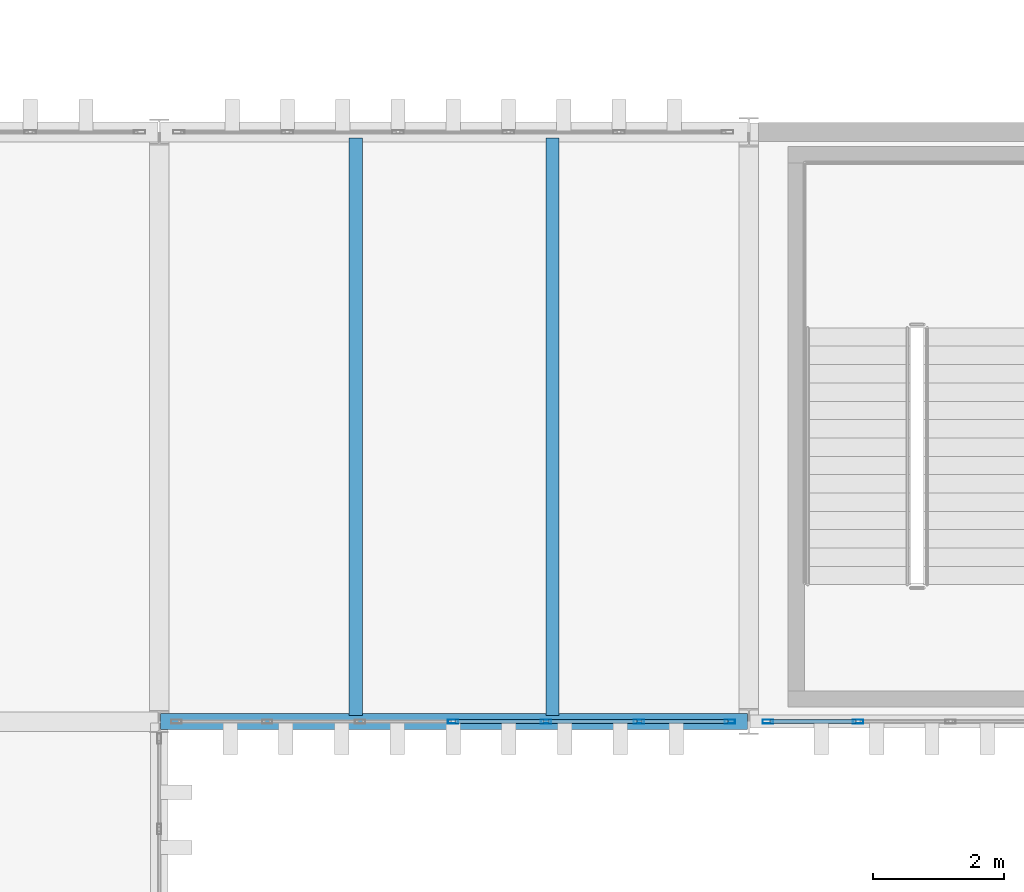
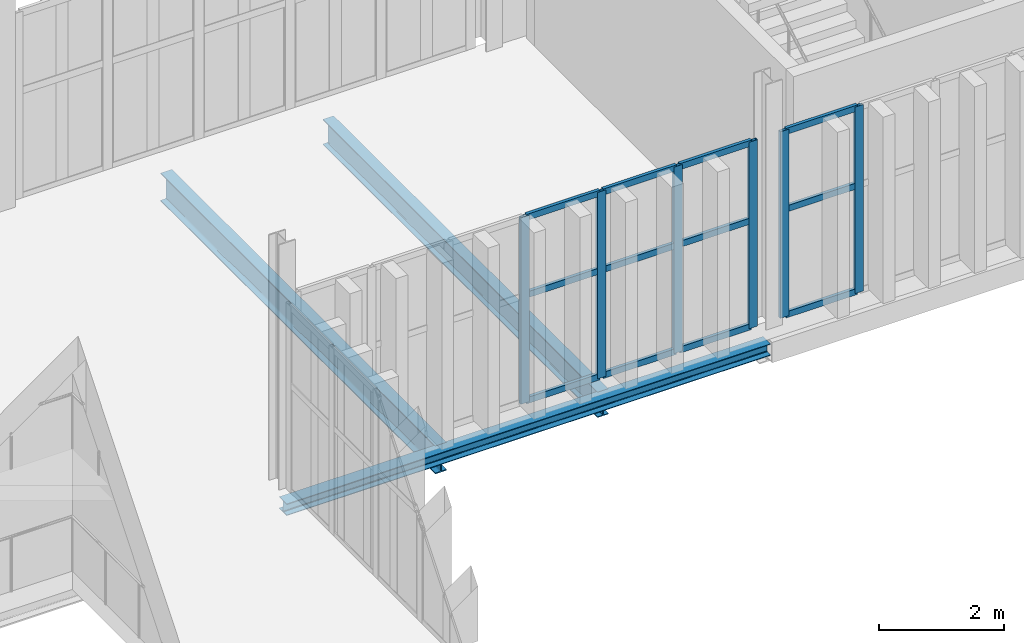
# One storey, part 135 of 196: 18 members, 3 beams, 2 elements without a shape of their own.
"""IFC4 building model written with IfcOpenShell, lengths in metres."""

from ifc_helpers import new_model, si_unit, direction, frame, origin, origin_2d, place, context, subcontext, project, spatial, hollow_rectangle, i_section, extrude, material, layer, layer_set, material_profile, profile_set, type_object, element, aggregate, save


model = new_model("IFC4")

# Units and contexts
model_context = context("Model", 3, precision=1e-05, world=origin(), true_north=direction((0.0, 1.0)))
body_context = subcontext(model_context, "Body", "Model", "MODEL_VIEW")
ifc_project = project(units=[si_unit("LENGTHUNIT", "METRE"), si_unit("AREAUNIT", "SQUARE_METRE"), si_unit("VOLUMEUNIT", "CUBIC_METRE"), si_unit("PLANEANGLEUNIT", "RADIAN"), si_unit("MASSUNIT", "GRAM", prefix="KILO")], contexts=[model_context])

# Site, building, storey
site_placement = place(None, origin())
site = spatial("IfcSite", under=ifc_project, at=site_placement, CompositionType="ELEMENT")
building_placement = place(site_placement, origin())
building = spatial("IfcBuilding", under=site, at=building_placement, Name="Barlavento Convention Centre", CompositionType="ELEMENT")
storey_placement = place(building_placement, frame((0.0, 0.0, 18.0)))
storey = spatial("IfcBuildingStorey", under=building, at=storey_placement, Name="L03", CompositionType="ELEMENT", Elevation=18.0)

# Curtain wall, members
ifc_material_1 = material(Name="Powder-coated aluminium and Low-E glass", Category="aluminium")
ifc_layer = layer(ifc_material_1, 0.179931640625)
ifc_layer_set = layer_set([ifc_layer], Name="ARC-CW-PATIO-B")
curtain_wall_type = type_object("IfcCurtainWallType", Name="ARC-CW-PATIO-B", PredefinedType="NOTDEFINED", material=ifc_layer_set)
curtain_wall_1_placement = place(storey_placement, origin())
curtain_wall_1 = element("IfcCurtainWall", 1, at=curtain_wall_1_placement, inside=storey, type_object=curtain_wall_type, Name="L03 unitised curtain wall CW12", PredefinedType="NOTDEFINED")
ifc_material_2 = material(Name="Powder-coated aluminium", Category="aluminium")
ifc_material_profile_1 = material_profile(ifc_material_2, hollow_rectangle(XDim=0.06005859375, YDim=0.159912109375, WallThickness=0.00390625, at=origin_2d()), Name="AL-MULL 60x160x4")
ifc_profile_set_1 = profile_set([ifc_material_profile_1], Name="Powder-coated aluminium")
member_type_1 = type_object("IfcMemberType", Name="ARC-CWM-60X160", PredefinedType="MULLION", material=ifc_profile_set_1)
member_1_placement = place(storey_placement, frame((139.485107421875, 90.0, 0.0), z_axis=(0.0, 0.0, 1.0), x_axis=(0.0, 1.0, 0.0)))
member_1 = element("IfcMember", 2, at=member_1_placement, type_object=member_type_1, Name="CW12 mullion 4", PredefinedType="MULLION", context=body_context, shape_type="SweptSolid", body=[
    extrude(hollow_rectangle(XDim=0.06005859375, YDim=0.159912109375, WallThickness=0.00390625, at=origin_2d()), origin(), (0.0, 0.0, 1.0), 3.64990234375),
])
member_2_placement = place(storey_placement, frame((140.9033203125, 90.0, 0.0), z_axis=(0.0, 0.0, 1.0), x_axis=(0.0, 1.0, 0.0)))
member_2 = element("IfcMember", 3, at=member_2_placement, type_object=member_type_1, Name="CW12 mullion 5", PredefinedType="MULLION", context=body_context, shape_type="SweptSolid", body=[
    extrude(hollow_rectangle(XDim=0.06005859375, YDim=0.159912109375, WallThickness=0.00390625, at=origin_2d()), origin(), (0.0, 0.0, 1.0), 3.64990234375),
])
member_3_placement = place(storey_placement, frame((142.32177734375, 90.0, 0.0), z_axis=(0.0, 0.0, 1.0), x_axis=(0.0, 1.0, 0.0)))
member_3 = element("IfcMember", 4, at=member_3_placement, type_object=member_type_1, Name="CW12 mullion 6", PredefinedType="MULLION", context=body_context, shape_type="SweptSolid", body=[
    extrude(hollow_rectangle(XDim=0.06005859375, YDim=0.159912109375, WallThickness=0.00390625, at=origin_2d()), origin(), (0.0, 0.0, 1.0), 3.64990234375),
])
member_4_placement = place(storey_placement, frame((143.7099609375, 90.0, 0.0), z_axis=(0.0, 0.0, 1.0), x_axis=(0.0, 1.0, 0.0)))
member_4 = element("IfcMember", 5, at=member_4_placement, type_object=member_type_1, Name="CW12 mullion 7", PredefinedType="MULLION", context=body_context, shape_type="SweptSolid", body=[
    extrude(hollow_rectangle(XDim=0.06005859375, YDim=0.159912109375, WallThickness=0.00390625, at=origin_2d()), origin(), (0.0, 0.0, 1.0), 3.64990234375),
])

curtain_wall_2_placement = place(storey_placement, origin())
curtain_wall_2 = element("IfcCurtainWall", 6, at=curtain_wall_2_placement, inside=storey, type_object=curtain_wall_type, Name="L03 unitised curtain wall CW12", PredefinedType="NOTDEFINED")
member_5_placement = place(storey_placement, frame((144.2900390625, 90.0, 0.0), z_axis=(0.0, 0.0, 1.0), x_axis=(0.0, 1.0, 0.0)))
member_5 = element("IfcMember", 7, at=member_5_placement, type_object=member_type_1, Name="CW12 mullion 1", PredefinedType="MULLION", context=body_context, shape_type="SweptSolid", body=[
    extrude(hollow_rectangle(XDim=0.06005859375, YDim=0.159912109375, WallThickness=0.00390625, at=origin_2d()), origin(), (0.0, 0.0, 1.0), 3.64990234375),
])
member_6_placement = place(storey_placement, frame((145.669189453125, 90.0, 0.0), z_axis=(0.0, 0.0, 1.0), x_axis=(0.0, 1.0, 0.0)))
member_6 = element("IfcMember", 8, at=member_6_placement, type_object=member_type_1, Name="CW12 mullion 2", PredefinedType="MULLION", context=body_context, shape_type="SweptSolid", body=[
    extrude(hollow_rectangle(XDim=0.06005859375, YDim=0.159912109375, WallThickness=0.00390625, at=origin_2d()), origin(), (0.0, 0.0, 1.0), 3.64990234375),
])

# Member
ifc_material_profile_2 = material_profile(ifc_material_2, hollow_rectangle(XDim=0.06005859375, YDim=0.1201171875, WallThickness=0.00390625, at=origin_2d()), Name="AL-TRAN 60x120x4")
ifc_profile_set_2 = profile_set([ifc_material_profile_2], Name="Powder-coated aluminium")
member_type_2 = type_object("IfcMemberType", Name="ARC-CWT-60X120", PredefinedType="USERDEFINED", material=ifc_profile_set_2)
member_7_placement = place(storey_placement, frame((139.514892578125, 90.0, 0.030029296875), z_axis=(1.0, 0.0, 0.0), x_axis=(0.0, 1.0, 0.0)))
member_7 = element("IfcMember", 9, at=member_7_placement, type_object=member_type_2, Name="CW12 transom 4.1", ObjectType="TRANSOM", PredefinedType="USERDEFINED", context=body_context, shape_type="SweptSolid", body=[
    extrude(hollow_rectangle(XDim=0.06005859375, YDim=0.1201171875, WallThickness=0.00390625, at=origin_2d()), origin(), (0.0, 0.0, 1.0), 1.3583984375),
])

member_8_placement = place(storey_placement, frame((139.514892578125, 90.0, 2.10009765625), z_axis=(1.0, 0.0, 0.0), x_axis=(0.0, 1.0, 0.0)))
member_8 = element("IfcMember", 10, at=member_8_placement, type_object=member_type_2, Name="CW12 transom 4.2", ObjectType="TRANSOM", PredefinedType="USERDEFINED", context=body_context, shape_type="SweptSolid", body=[
    extrude(hollow_rectangle(XDim=0.06005859375, YDim=0.1201171875, WallThickness=0.00390625, at=origin_2d()), origin(), (0.0, 0.0, 1.0), 1.3583984375),
])

member_9_placement = place(storey_placement, frame((139.514892578125, 90.0, 3.6201171875), z_axis=(1.0, 0.0, 0.0), x_axis=(0.0, 1.0, 0.0)))
member_9 = element("IfcMember", 11, at=member_9_placement, type_object=member_type_2, Name="CW12 transom 4.3", ObjectType="TRANSOM", PredefinedType="USERDEFINED", context=body_context, shape_type="SweptSolid", body=[
    extrude(hollow_rectangle(XDim=0.06005859375, YDim=0.1201171875, WallThickness=0.00390625, at=origin_2d()), origin(), (0.0, 0.0, 1.0), 1.3583984375),
])

member_10_placement = place(storey_placement, frame((140.933349609375, 90.0, 0.030029296875), z_axis=(1.0, 0.0, 0.0), x_axis=(0.0, 1.0, 0.0)))
member_10 = element("IfcMember", 12, at=member_10_placement, type_object=member_type_2, Name="CW12 transom 5.1", ObjectType="TRANSOM", PredefinedType="USERDEFINED", context=body_context, shape_type="SweptSolid", body=[
    extrude(hollow_rectangle(XDim=0.06005859375, YDim=0.1201171875, WallThickness=0.00390625, at=origin_2d()), origin(), (0.0, 0.0, 1.0), 1.3583984375),
])

member_11_placement = place(storey_placement, frame((140.933349609375, 90.0, 2.10009765625), z_axis=(1.0, 0.0, 0.0), x_axis=(0.0, 1.0, 0.0)))
member_11 = element("IfcMember", 13, at=member_11_placement, type_object=member_type_2, Name="CW12 transom 5.2", ObjectType="TRANSOM", PredefinedType="USERDEFINED", context=body_context, shape_type="SweptSolid", body=[
    extrude(hollow_rectangle(XDim=0.06005859375, YDim=0.1201171875, WallThickness=0.00390625, at=origin_2d()), origin(), (0.0, 0.0, 1.0), 1.3583984375),
])

member_12_placement = place(storey_placement, frame((140.933349609375, 90.0, 3.6201171875), z_axis=(1.0, 0.0, 0.0), x_axis=(0.0, 1.0, 0.0)))
member_12 = element("IfcMember", 14, at=member_12_placement, type_object=member_type_2, Name="CW12 transom 5.3", ObjectType="TRANSOM", PredefinedType="USERDEFINED", context=body_context, shape_type="SweptSolid", body=[
    extrude(hollow_rectangle(XDim=0.06005859375, YDim=0.1201171875, WallThickness=0.00390625, at=origin_2d()), origin(), (0.0, 0.0, 1.0), 1.3583984375),
])

member_13_placement = place(storey_placement, frame((142.3515625, 90.0, 0.030029296875), z_axis=(1.0, 0.0, 0.0), x_axis=(0.0, 1.0, 0.0)))
member_13 = element("IfcMember", 15, at=member_13_placement, type_object=member_type_2, Name="CW12 transom 6.1", ObjectType="TRANSOM", PredefinedType="USERDEFINED", context=body_context, shape_type="SweptSolid", body=[
    extrude(hollow_rectangle(XDim=0.06005859375, YDim=0.1201171875, WallThickness=0.00390625, at=origin_2d()), origin(), (0.0, 0.0, 1.0), 1.328369140625),
])

member_14_placement = place(storey_placement, frame((142.3515625, 90.0, 2.10009765625), z_axis=(1.0, 0.0, 0.0), x_axis=(0.0, 1.0, 0.0)))
member_14 = element("IfcMember", 16, at=member_14_placement, type_object=member_type_2, Name="CW12 transom 6.2", ObjectType="TRANSOM", PredefinedType="USERDEFINED", context=body_context, shape_type="SweptSolid", body=[
    extrude(hollow_rectangle(XDim=0.06005859375, YDim=0.1201171875, WallThickness=0.00390625, at=origin_2d()), origin(), (0.0, 0.0, 1.0), 1.328369140625),
])

member_15_placement = place(storey_placement, frame((142.3515625, 90.0, 3.6201171875), z_axis=(1.0, 0.0, 0.0), x_axis=(0.0, 1.0, 0.0)))
member_15 = element("IfcMember", 17, at=member_15_placement, type_object=member_type_2, Name="CW12 transom 6.3", ObjectType="TRANSOM", PredefinedType="USERDEFINED", context=body_context, shape_type="SweptSolid", body=[
    extrude(hollow_rectangle(XDim=0.06005859375, YDim=0.1201171875, WallThickness=0.00390625, at=origin_2d()), origin(), (0.0, 0.0, 1.0), 1.328369140625),
])

aggregate(curtain_wall_1, [member_1, member_2, member_3, member_4, member_7, member_8, member_9, member_10, member_11, member_12, member_13, member_14, member_15])

member_16_placement = place(storey_placement, frame((144.320068359375, 90.0, 0.030029296875), z_axis=(1.0, 0.0, 0.0), x_axis=(0.0, 1.0, 0.0)))
member_16 = element("IfcMember", 18, at=member_16_placement, type_object=member_type_2, Name="CW12 transom 1.1", ObjectType="TRANSOM", PredefinedType="USERDEFINED", context=body_context, shape_type="SweptSolid", body=[
    extrude(hollow_rectangle(XDim=0.06005859375, YDim=0.1201171875, WallThickness=0.00390625, at=origin_2d()), origin(), (0.0, 0.0, 1.0), 1.319091796875),
])

member_17_placement = place(storey_placement, frame((144.320068359375, 90.0, 2.10009765625), z_axis=(1.0, 0.0, 0.0), x_axis=(0.0, 1.0, 0.0)))
member_17 = element("IfcMember", 19, at=member_17_placement, type_object=member_type_2, Name="CW12 transom 1.2", ObjectType="TRANSOM", PredefinedType="USERDEFINED", context=body_context, shape_type="SweptSolid", body=[
    extrude(hollow_rectangle(XDim=0.06005859375, YDim=0.1201171875, WallThickness=0.00390625, at=origin_2d()), origin(), (0.0, 0.0, 1.0), 1.319091796875),
])

member_18_placement = place(storey_placement, frame((144.320068359375, 90.0, 3.6201171875), z_axis=(1.0, 0.0, 0.0), x_axis=(0.0, 1.0, 0.0)))
member_18 = element("IfcMember", 20, at=member_18_placement, type_object=member_type_2, Name="CW12 transom 1.3", ObjectType="TRANSOM", PredefinedType="USERDEFINED", context=body_context, shape_type="SweptSolid", body=[
    extrude(hollow_rectangle(XDim=0.06005859375, YDim=0.1201171875, WallThickness=0.00390625, at=origin_2d()), origin(), (0.0, 0.0, 1.0), 1.319091796875),
])

aggregate(curtain_wall_2, [member_5, member_6, member_16, member_17, member_18])

# Beams
ifc_material_3 = material(Name="Steel S355", Category="steel")
ifc_material_profile_3 = material_profile(ifc_material_3, i_section(OverallWidth=0.199951171875, OverallDepth=0.5, WebThickness=0.01025390625, FlangeThickness=0.01611328125, FilletRadius=0.02099609375, at=origin_2d()), Name="IPE 500")
ifc_profile_set_3 = profile_set([ifc_material_profile_3], Name="Steel S355")
beam_type_1 = type_object("IfcBeamType", Name="STR-BM-JST-IPE500", PredefinedType="JOIST", material=ifc_profile_set_3)
beam_1_placement = place(storey_placement, frame((141.0, 90.094970703125, -0.610107421875), z_axis=(0.0, 1.0, 0.0), x_axis=(-1.0, 0.0, 0.0)))
element("IfcBeam", 21, at=beam_1_placement, inside=storey, type_object=beam_type_1, Name="L03 composite floor joist SJ02", PredefinedType="JOIST", context=body_context, shape_type="SweptSolid", body=[
    extrude(i_section(OverallWidth=0.199951171875, OverallDepth=0.5, WebThickness=0.01025390625, FlangeThickness=0.01611328125, FilletRadius=0.02099609375, at=origin_2d()), origin(), (0.0, 0.0, 1.0), 8.81005859375),
])
ifc_material_profile_4 = material_profile(ifc_material_3, i_section(OverallWidth=0.2099609375, OverallDepth=0.550048828125, WebThickness=0.010986328125, FlangeThickness=0.01708984375, FilletRadius=0.02392578125, at=origin_2d()), Name="IPE 550")
ifc_profile_set_4 = profile_set([ifc_material_profile_4], Name="Steel S355")
beam_type_2 = type_object("IfcBeamType", Name="STR-BM-JST-IPE550", PredefinedType="JOIST", material=ifc_profile_set_4)
beam_2_placement = place(storey_placement, frame((138.0, 90.094970703125, -0.635009765625), z_axis=(0.0, 1.0, 0.0), x_axis=(-1.0, 0.0, 0.0)))
element("IfcBeam", 22, at=beam_2_placement, inside=storey, type_object=beam_type_2, Name="L03 composite floor joist SJ01", PredefinedType="JOIST", context=body_context, shape_type="SweptSolid", body=[
    extrude(i_section(OverallWidth=0.2099609375, OverallDepth=0.550048828125, WebThickness=0.010986328125, FlangeThickness=0.01708984375, FilletRadius=0.02392578125, at=origin_2d()), origin(), (0.0, 0.0, 1.0), 8.81005859375),
])
ifc_material_profile_5 = material_profile(ifc_material_3, i_section(OverallWidth=0.239990234375, OverallDepth=0.22998046875, WebThickness=0.007568359375, FlangeThickness=0.011962890625, FilletRadius=0.02099609375, at=origin_2d()), Name="HEA 240")
ifc_profile_set_5 = profile_set([ifc_material_profile_5], Name="Steel S355")
beam_type_3 = type_object("IfcBeamType", Name="STR-BM-SPN-HEA240", PredefinedType="SPANDREL", material=ifc_profile_set_5)
beam_3_placement = place(storey_placement, frame((135.02001953125, 90.0, -0.47509765625), z_axis=(1.0, 0.0, 0.0), x_axis=(0.0, 1.0, 0.0)))
element("IfcBeam", 23, at=beam_3_placement, inside=storey, type_object=beam_type_3, Name="L03 primary girder SP05", PredefinedType="SPANDREL", context=body_context, shape_type="SweptSolid", body=[
    extrude(i_section(OverallWidth=0.239990234375, OverallDepth=0.22998046875, WebThickness=0.007568359375, FlangeThickness=0.011962890625, FilletRadius=0.02099609375, at=origin_2d()), origin(), (0.0, 0.0, 1.0), 8.9599609375),
])

save(model, "model.ifc")
